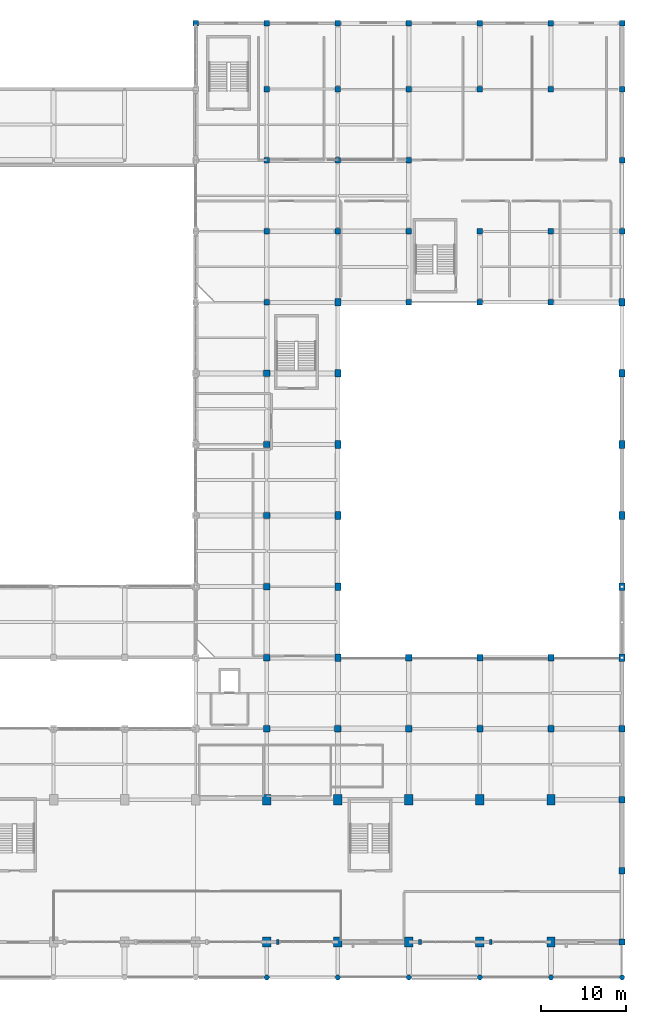
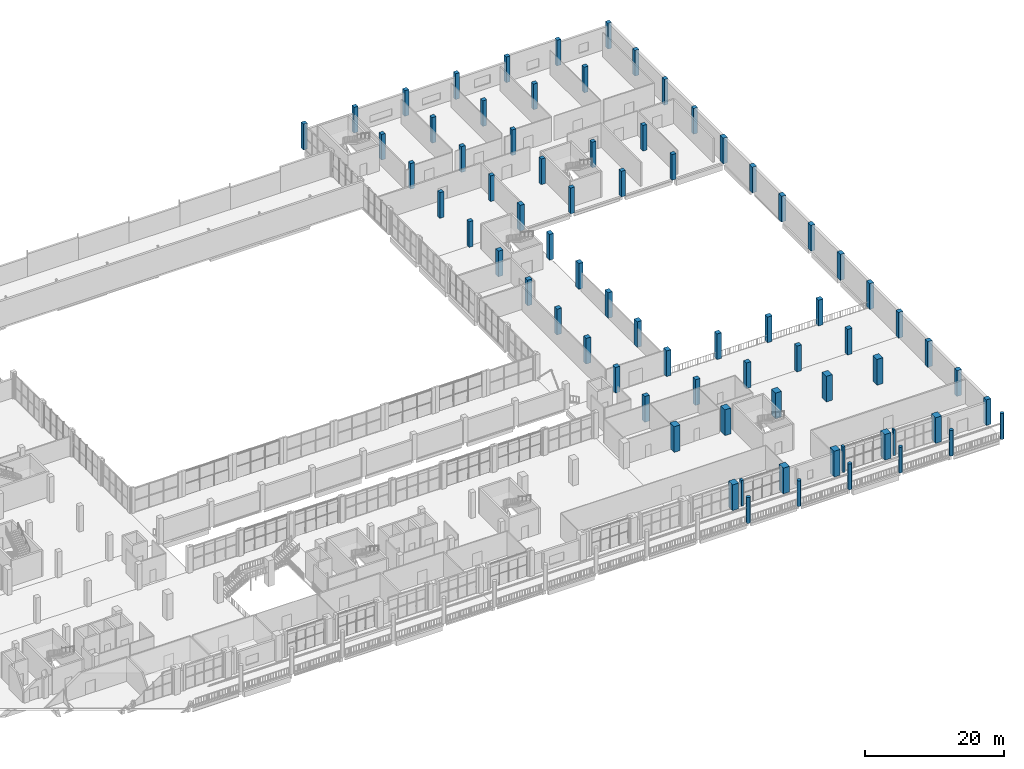
# One storey, part 14 of 75: 75 columns.
"""IFC4 building model written with IfcOpenShell, lengths in metres."""

import ifcopenshell
import ifcopenshell.guid

model = None  # the IFC model being written
_history = None  # IfcOwnerHistory: only IFC2X3 demands one
_inside = {}  # id of a spatial element -> (the spatial element, [elements in it])
_under = {}  # id of a project, library or spatial element -> (it, [spatial elements below it])
_declared = {}  # id of a project -> (the project, [libraries it declares])
_typed = {}  # id of a type object -> (the type object, [elements of that type])
_made_of = {}  # id of a material, layer set ... -> (it, [elements and type objects made of it])


def new_model(schema):
    """Start an empty IFC model of exactly this schema.

    Asked for "IFC4X3", IfcOpenShell would pick the latest addendum, in which some entities
    have other attributes; the version numbers below select the first issue.
    IFC2X3 requires an IfcOwnerHistory on every rooted entity: one is made here for all.
    """
    global model, _history
    if schema == "IFC4X3":
        model = ifcopenshell.file(schema_version=(4, 3, 0, 0))
    else:
        model = ifcopenshell.file(schema=schema)
    _inside.clear()
    _under.clear()
    _declared.clear()
    _typed.clear()
    _made_of.clear()
    _history = None
    if model.schema == "IFC2X3":
        org = make("IfcOrganization", Name="unknown")
        user = make(
            "IfcPersonAndOrganization",
            ThePerson=make("IfcPerson", FamilyName="unknown"),
            TheOrganization=org,
        )
        app = make(
            "IfcApplication",
            ApplicationDeveloper=org,
            Version="unknown",
            ApplicationFullName="unknown",
            ApplicationIdentifier="unknown",
        )
        _history = make(
            "IfcOwnerHistory",
            OwningUser=user,
            OwningApplication=app,
            ChangeAction="ADDED",
            CreationDate=0,
        )
    return model


def make(cls, **values):
    """One entity of the class cls with the attributes given. An attribute that is None is left unset."""
    return model.create_entity(
        cls, **{name: value for name, value in values.items() if value is not None}
    )


def rooted(cls, **values):
    """An entity with a GlobalId (a new one), such as an element, a storey or a relation."""
    return make(cls, GlobalId=ifcopenshell.guid.new(), OwnerHistory=_history, **values)


def si_unit(unit_type, name, prefix=None):
    """IfcSIUnit, for example si_unit("LENGTHUNIT", "METRE", prefix="MILLI")."""
    return make("IfcSIUnit", UnitType=unit_type, Prefix=prefix, Name=name)


def derived_unit(unit_type, elements):
    """IfcDerivedUnit: a product of units, each with its exponent."""
    return make(
        "IfcDerivedUnit",
        Elements=[
            make("IfcDerivedUnitElement", Unit=unit, Exponent=power)
            for unit, power in elements
        ],
        UnitType=unit_type,
    )


def assignment(units):
    """IfcUnitAssignment: the units of a project."""
    return None if units is None else make("IfcUnitAssignment", Units=units)


def point(xyz):
    """IfcCartesianPoint."""
    return None if xyz is None else make("IfcCartesianPoint", Coordinates=xyz)


def direction(xyz):
    """IfcDirection."""
    return None if xyz is None else make("IfcDirection", DirectionRatios=xyz)


def frame(location, z_axis=None, x_axis=None):
    """IfcAxis2Placement3D, a coordinate frame: its origin and axes. An axis left out is left unset."""
    return make(
        "IfcAxis2Placement3D",
        Location=point(location),
        Axis=direction(z_axis),
        RefDirection=direction(x_axis),
    )


def frame_2d(location, x_axis=None):
    """IfcAxis2Placement2D, a coordinate frame in the plane: its origin and x axis."""
    return make(
        "IfcAxis2Placement2D", Location=point(location), RefDirection=direction(x_axis)
    )


def origin():
    """The frame at (0, 0, 0) with its axes left unset."""
    return frame((0.0, 0.0, 0.0))


def origin_2d():
    """The frame at (0, 0) in the plane with its x axis left unset."""
    return frame_2d((0.0, 0.0))


def place(relative_to, where):
    """IfcLocalPlacement: puts the frame where relative to a parent placement (None: the world)."""
    return make(
        "IfcLocalPlacement", PlacementRelTo=relative_to, RelativePlacement=where
    )


def context(
    kind, dimensions, precision=None, world=None, true_north=None, identifier=None
):
    """IfcGeometricRepresentationContext, for example the 3D "Model" context."""
    return make(
        "IfcGeometricRepresentationContext",
        ContextIdentifier=identifier,
        ContextType=kind,
        CoordinateSpaceDimension=dimensions,
        Precision=precision,
        WorldCoordinateSystem=world,
        TrueNorth=true_north,
    )


def subcontext(parent, identifier, kind, view, scale=None):
    """IfcGeometricRepresentationSubContext, for example "Body" below "Model"."""
    return make(
        "IfcGeometricRepresentationSubContext",
        ContextIdentifier=identifier,
        ContextType=kind,
        ParentContext=parent,
        TargetScale=scale,
        TargetView=view,
    )


def project(units=None, contexts=None):
    """IfcProject with its units and contexts."""
    return rooted(
        "IfcProject",
        Name="project",
        RepresentationContexts=contexts,
        UnitsInContext=assignment(units),
    )


def spatial(cls, under=None, at=None, **own):
    """A site, building, storey or space (cls), placed at a placement, below another one or the project."""
    s = rooted(cls, ObjectPlacement=at, **own)
    if under is not None:
        _under.setdefault(under.id(), (under, []))[1].append(s)
    return s


def profile(cls, at=None, kind="AREA", **sizes):
    """A parametric profile (cls). Its sizes go by their IFC names, for example OverallWidth=200.0."""
    return make(cls, ProfileType=kind, Position=at, **sizes)


def rectangle(**sizes):
    """IfcRectangleProfileDef."""
    return profile("IfcRectangleProfileDef", **sizes)


def circle(**sizes):
    """IfcCircleProfileDef."""
    return profile("IfcCircleProfileDef", **sizes)


def extrude(swept, where, along, depth):
    """IfcExtrudedAreaSolid: the profile swept, set in the frame where, extruded along a direction by depth."""
    return make(
        "IfcExtrudedAreaSolid",
        SweptArea=swept,
        Position=where,
        ExtrudedDirection=direction(along),
        Depth=depth,
    )


def shape(context_of_items, identifier, shape_type, items):
    """IfcShapeRepresentation: the items that make up one representation, for example the "Body"."""
    return make(
        "IfcShapeRepresentation",
        ContextOfItems=context_of_items,
        RepresentationIdentifier=identifier,
        RepresentationType=shape_type,
        Items=items,
    )


def material(Name=None, Category=None):
    """IfcMaterial."""
    return make("IfcMaterial", Name=Name, Category=Category)


def material_profile(
    of_material, cross_section, Name=None, Category=None, Priority=None
):
    """IfcMaterialProfile: a cross section and its material."""
    return make(
        "IfcMaterialProfile",
        Name=Name,
        Material=of_material,
        Profile=cross_section,
        Priority=Priority,
        Category=Category,
    )


def profile_set(profiles, Name=None, composite=None):
    """IfcMaterialProfileSet."""
    return make(
        "IfcMaterialProfileSet",
        Name=Name,
        MaterialProfiles=profiles,
        CompositeProfile=composite,
    )


def made_of(thing, what):
    """Note that an element or type object is made of a material, layer set ...; save() writes the relation."""
    if what is not None:
        _made_of.setdefault(what.id(), (what, []))[1].append(thing)
    return thing


def type_object(cls, material=None, **own):
    """A type object (cls), such as IfcWallType, which elements share."""
    return made_of(rooted(cls, **own), material)


def element(
    cls,
    number,
    at=None,
    inside=None,
    cuts=None,
    type_object=None,
    material=None,
    context=None,
    identifier="Body",
    shape_type=None,
    held_by="IfcProductDefinitionShape",
    body=None,
    shapes=None,
    **own,
):
    """One element of the class cls, such as IfcWall. Its Tag is "e" and its number.

    at: its placement. inside: the storey or other place that contains it. cuts: it is an
    opening in that element (IfcRelVoidsElement). A single representation is given by context,
    identifier, shape_type and body (its items); several are given by shapes. held_by: the class
    of the entity that holds the representations. save() writes the other relations.
    """
    e = rooted(cls, Tag="e%d" % number, ObjectPlacement=at, **own)
    if body is not None:
        shapes = [shape(context, identifier, shape_type, body)]
    if shapes is not None:
        e.Representation = make(held_by, Representations=shapes)
    if inside is not None:
        _inside.setdefault(inside.id(), (inside, []))[1].append(e)
    if cuts is not None:
        rooted(
            "IfcRelVoidsElement", RelatingBuildingElement=cuts, RelatedOpeningElement=e
        )
    if type_object is not None:
        _typed.setdefault(type_object.id(), (type_object, []))[1].append(e)
    return made_of(e, material)


def aggregate(whole, parts):
    """IfcRelAggregates: a whole, such as a stair, and the parts it consists of."""
    return rooted("IfcRelAggregates", RelatingObject=whole, RelatedObjects=parts)


def save(model, path):
    """Write the relations noted so far, then the file.

    IfcRelAggregates (storeys below a building ...), IfcRelContainedInSpatialStructure (elements
    in a storey), IfcRelDefinesByType, IfcRelAssociatesMaterial and IfcRelDeclares: one each for
    every whole, place, type object, material and project.
    """
    for whole, parts in _under.values():
        aggregate(whole, parts)
    for where, things in _inside.values():
        rooted(
            "IfcRelContainedInSpatialStructure",
            RelatedElements=things,
            RelatingStructure=where,
        )
    for kind, things in _typed.values():
        rooted("IfcRelDefinesByType", RelatedObjects=things, RelatingType=kind)
    for what, things in _made_of.values():
        rooted("IfcRelAssociatesMaterial", RelatedObjects=things, RelatingMaterial=what)
    for by, libraries in _declared.values():
        rooted("IfcRelDeclares", RelatingContext=by, RelatedDefinitions=libraries)
    model.write(path)


model = new_model("IFC4")

# Units and contexts
model_context = context("Model", 3, precision=1e-05, world=origin(), true_north=direction((0.0, 1.0)))
body_context = subcontext(model_context, "Body", "Model", "MODEL_VIEW")
ifc_project = project(units=[si_unit("LENGTHUNIT", "METRE"), si_unit("AREAUNIT", "SQUARE_METRE"), si_unit("VOLUMEUNIT", "CUBIC_METRE"), si_unit("PLANEANGLEUNIT", "RADIAN"), si_unit("MASSUNIT", "GRAM", prefix="KILO"), derived_unit("THERMALTRANSMITTANCEUNIT", [(si_unit("POWERUNIT", "WATT"), 1), (si_unit("LENGTHUNIT", "METRE"), -2), (si_unit("THERMODYNAMICTEMPERATUREUNIT", "KELVIN"), -1)])], contexts=[model_context])

# Site, building, storey
site_placement = place(None, origin())
site = spatial("IfcSite", under=ifc_project, at=site_placement, CompositionType="ELEMENT")
building_placement = place(site_placement, origin())
building = spatial("IfcBuilding", under=site, at=building_placement, Name="Barrovel Congress Hotel", CompositionType="ELEMENT")
storey_placement = place(building_placement, frame((0.0, 0.0, 5.39990234375)))
storey = spatial("IfcBuildingStorey", under=building, at=storey_placement, Name="L01", CompositionType="ELEMENT", Elevation=5.39990234375)

# Columns
ifc_material_1 = material(Name="Concrete C40", Category="concrete")
ifc_material_profile_1 = material_profile(ifc_material_1, circle(Radius=0.300048828125, at=origin_2d()), Name="RC-D600")
ifc_profile_set_1 = profile_set([ifc_material_profile_1], Name="Concrete C40")
column_type_1 = type_object("IfcColumnType", Name="COL-RC-D600", PredefinedType="COLUMN", material=ifc_profile_set_1)
for number, where, z_axis, x_axis, name in (
    (1, (134.39990234375, 0.0, 0.0), (0.0, 0.0, 1.0), (1.0, 0.0, 0.0), "COL:L01:134.4:0.0"),
    (2, (142.800048828125, 0.0, 0.0), (0.0, 0.0, 1.0), (1.0, 0.0, 0.0), "COL:L01:142.8:0.0"),
    (3, (151.199951171875, 0.0, 0.0), (0.0, 0.0, 1.0), (1.0, 0.0, 0.0), "COL:L01:151.2:0.0"),
    (4, (159.60009765625, 0.0, 0.0), (0.0, 0.0, 1.0), (1.0, 0.0, 0.0), "COL:L01:159.6:0.0"),
    (5, (168.0, 0.0, 0.0), (0.0, 0.0, 1.0), (1.0, 0.0, 0.0), "COL:L01:168.0:0.0"),
    (6, (176.39990234375, 0.0, 0.0), (0.0, 0.0, 1.0), (1.0, 0.0, 0.0), "COL:L01:176.4:0.0"),
):
    element("IfcColumn", number, at=place(storey_placement, frame(where, z_axis=z_axis, x_axis=x_axis)), inside=storey, type_object=column_type_1, Name=name, PredefinedType="COLUMN", context=body_context, shape_type="SweptSolid", body=[
        extrude(circle(Radius=0.300048828125, at=origin_2d()), origin(), (0.0, 0.0, 1.0), 4.5),
    ])
ifc_material_2 = material(Name="Concrete C50", Category="concrete")
ifc_material_profile_2 = material_profile(ifc_material_2, rectangle(XDim=1.0, YDim=1.199951171875, at=origin_2d()), Name="RC1000x1200")
ifc_profile_set_2 = profile_set([ifc_material_profile_2], Name="Concrete C50")
column_type_2 = type_object("IfcColumnType", Name="COL-RC1000x1200", PredefinedType="COLUMN", material=ifc_profile_set_2)
for number, where, z_axis, x_axis, name in (
    (7, (134.39990234375, 4.199951171875, 0.0), (0.0, 0.0, 1.0), (1.0, 0.0, 0.0), "COL:L01:134.4:4.2"),
    (8, (134.39990234375, 21.0, 0.0), (0.0, 0.0, 1.0), (1.0, 0.0, 0.0), "COL:L01:134.4:21.0"),
    (9, (142.800048828125, 4.199951171875, 0.0), (0.0, 0.0, 1.0), (1.0, 0.0, 0.0), "COL:L01:142.8:4.2"),
    (10, (142.800048828125, 21.0, 0.0), (0.0, 0.0, 1.0), (1.0, 0.0, 0.0), "COL:L01:142.8:21.0"),
    (11, (151.199951171875, 4.199951171875, 0.0), (0.0, 0.0, 1.0), (1.0, 0.0, 0.0), "COL:L01:151.2:4.2"),
    (12, (151.199951171875, 21.0, 0.0), (0.0, 0.0, 1.0), (1.0, 0.0, 0.0), "COL:L01:151.2:21.0"),
    (13, (159.60009765625, 4.199951171875, 0.0), (0.0, 0.0, 1.0), (1.0, 0.0, 0.0), "COL:L01:159.6:4.2"),
    (14, (159.60009765625, 21.0, 0.0), (0.0, 0.0, 1.0), (1.0, 0.0, 0.0), "COL:L01:159.6:21.0"),
    (15, (168.0, 4.199951171875, 0.0), (0.0, 0.0, 1.0), (1.0, 0.0, 0.0), "COL:L01:168.0:4.2"),
    (16, (168.0, 21.0, 0.0), (0.0, 0.0, 1.0), (1.0, 0.0, 0.0), "COL:L01:168.0:21.0"),
):
    element("IfcColumn", number, at=place(storey_placement, frame(where, z_axis=z_axis, x_axis=x_axis)), inside=storey, type_object=column_type_2, Name=name, PredefinedType="COLUMN", context=body_context, shape_type="SweptSolid", body=[
        extrude(rectangle(XDim=1.0, YDim=1.199951171875, at=origin_2d()), origin(), (0.0, 0.0, 1.0), 4.5),
    ])
ifc_material_profile_3 = material_profile(ifc_material_1, rectangle(XDim=0.64990234375, YDim=0.64990234375, at=origin_2d()), Name="RC650x650")
ifc_profile_set_3 = profile_set([ifc_material_profile_3], Name="Concrete C40")
column_type_3 = type_object("IfcColumnType", Name="COL-RC650x650", PredefinedType="COLUMN", material=ifc_profile_set_3)
for number, where, z_axis, x_axis, name in (
    (17, (126.0, 112.800048828125, 0.0), (0.0, 0.0, 1.0), (1.0, 0.0, 0.0), "COL:L01:126.0:112.8"),
    (18, (134.39990234375, 79.800048828125, 0.0), (0.0, 0.0, 1.0), (1.0, 0.0, 0.0), "COL:L01:134.4:79.8"),
    (19, (134.39990234375, 88.199951171875, 0.0), (0.0, 0.0, 1.0), (1.0, 0.0, 0.0), "COL:L01:134.4:88.2"),
    (20, (134.39990234375, 96.60009765625, 0.0), (0.0, 0.0, 1.0), (1.0, 0.0, 0.0), "COL:L01:134.4:96.6"),
    (21, (134.39990234375, 105.0, 0.0), (0.0, 0.0, 1.0), (1.0, 0.0, 0.0), "COL:L01:134.4:105.0"),
    (22, (134.39990234375, 112.800048828125, 0.0), (0.0, 0.0, 1.0), (1.0, 0.0, 0.0), "COL:L01:134.4:112.8"),
    (23, (142.800048828125, 88.199951171875, 0.0), (0.0, 0.0, 1.0), (1.0, 0.0, 0.0), "COL:L01:142.8:88.2"),
    (24, (142.800048828125, 96.60009765625, 0.0), (0.0, 0.0, 1.0), (1.0, 0.0, 0.0), "COL:L01:142.8:96.6"),
    (25, (142.800048828125, 105.0, 0.0), (0.0, 0.0, 1.0), (1.0, 0.0, 0.0), "COL:L01:142.8:105.0"),
    (26, (142.800048828125, 112.800048828125, 0.0), (0.0, 0.0, 1.0), (1.0, 0.0, 0.0), "COL:L01:142.8:112.8"),
    (27, (151.199951171875, 79.800048828125, 0.0), (0.0, 0.0, 1.0), (1.0, 0.0, 0.0), "COL:L01:151.2:79.8"),
    (28, (151.199951171875, 88.199951171875, 0.0), (0.0, 0.0, 1.0), (1.0, 0.0, 0.0), "COL:L01:151.2:88.2"),
    (29, (151.199951171875, 96.60009765625, 0.0), (0.0, 0.0, 1.0), (1.0, 0.0, 0.0), "COL:L01:151.2:96.6"),
    (30, (151.199951171875, 105.0, 0.0), (0.0, 0.0, 1.0), (1.0, 0.0, 0.0), "COL:L01:151.2:105.0"),
    (31, (151.199951171875, 112.800048828125, 0.0), (0.0, 0.0, 1.0), (1.0, 0.0, 0.0), "COL:L01:151.2:112.8"),
    (32, (159.60009765625, 79.800048828125, 0.0), (0.0, 0.0, 1.0), (1.0, 0.0, 0.0), "COL:L01:159.6:79.8"),
    (33, (159.60009765625, 88.199951171875, 0.0), (0.0, 0.0, 1.0), (1.0, 0.0, 0.0), "COL:L01:159.6:88.2"),
    (34, (159.60009765625, 105.0, 0.0), (0.0, 0.0, 1.0), (1.0, 0.0, 0.0), "COL:L01:159.6:105.0"),
    (35, (159.60009765625, 112.800048828125, 0.0), (0.0, 0.0, 1.0), (1.0, 0.0, 0.0), "COL:L01:159.6:112.8"),
    (36, (168.0, 79.800048828125, 0.0), (0.0, 0.0, 1.0), (1.0, 0.0, 0.0), "COL:L01:168.0:79.8"),
    (37, (168.0, 88.199951171875, 0.0), (0.0, 0.0, 1.0), (1.0, 0.0, 0.0), "COL:L01:168.0:88.2"),
    (38, (168.0, 105.0, 0.0), (0.0, 0.0, 1.0), (1.0, 0.0, 0.0), "COL:L01:168.0:105.0"),
    (39, (168.0, 112.800048828125, 0.0), (0.0, 0.0, 1.0), (1.0, 0.0, 0.0), "COL:L01:168.0:112.8"),
    (40, (176.39990234375, 88.199951171875, 0.0), (0.0, 0.0, 1.0), (1.0, 0.0, 0.0), "COL:L01:176.4:88.2"),
    (41, (176.39990234375, 96.60009765625, 0.0), (0.0, 0.0, 1.0), (1.0, 0.0, 0.0), "COL:L01:176.4:96.6"),
    (42, (176.39990234375, 105.0, 0.0), (0.0, 0.0, 1.0), (1.0, 0.0, 0.0), "COL:L01:176.4:105.0"),
    (43, (176.39990234375, 112.800048828125, 0.0), (0.0, 0.0, 1.0), (1.0, 0.0, 0.0), "COL:L01:176.4:112.8"),
):
    element("IfcColumn", number, at=place(storey_placement, frame(where, z_axis=z_axis, x_axis=x_axis)), inside=storey, type_object=column_type_3, Name=name, PredefinedType="COLUMN", context=body_context, shape_type="SweptSolid", body=[
        extrude(rectangle(XDim=0.64990234375, YDim=0.64990234375, at=origin_2d()), origin(), (0.0, 0.0, 1.0), 4.5),
    ])
ifc_material_profile_4 = material_profile(ifc_material_1, rectangle(XDim=0.699951171875, YDim=0.89990234375, at=origin_2d()), Name="RC700x900")
ifc_profile_set_4 = profile_set([ifc_material_profile_4], Name="Concrete C40")
column_type_4 = type_object("IfcColumnType", Name="COL-RC700x900", PredefinedType="COLUMN", material=ifc_profile_set_4)
for number, where, z_axis, x_axis, name in (
    (44, (142.800048828125, 37.800048828125, 0.0), (0.0, 0.0, 1.0), (1.0, 0.0, 0.0), "COL:L01:142.8:37.8"),
    (45, (142.800048828125, 46.199951171875, 0.0), (0.0, 0.0, 1.0), (1.0, 0.0, 0.0), "COL:L01:142.8:46.2"),
    (46, (142.800048828125, 54.60009765625, 0.0), (0.0, 0.0, 1.0), (1.0, 0.0, 0.0), "COL:L01:142.8:54.6"),
    (47, (142.800048828125, 63.0, 0.0), (0.0, 0.0, 1.0), (1.0, 0.0, 0.0), "COL:L01:142.8:63.0"),
    (48, (142.800048828125, 71.39990234375, 0.0), (0.0, 0.0, 1.0), (1.0, 0.0, 0.0), "COL:L01:142.8:71.4"),
    (49, (142.800048828125, 79.800048828125, 0.0), (0.0, 0.0, 1.0), (1.0, 0.0, 0.0), "COL:L01:142.8:79.8"),
    (50, (176.39990234375, 37.800048828125, 0.0), (0.0, 0.0, 1.0), (1.0, 0.0, 0.0), "COL:L01:176.4:37.8"),
    (51, (176.39990234375, 46.199951171875, 0.0), (0.0, 0.0, 1.0), (1.0, 0.0, 0.0), "COL:L01:176.4:46.2"),
    (52, (176.39990234375, 54.60009765625, 0.0), (0.0, 0.0, 1.0), (1.0, 0.0, 0.0), "COL:L01:176.4:54.6"),
    (53, (176.39990234375, 63.0, 0.0), (0.0, 0.0, 1.0), (1.0, 0.0, 0.0), "COL:L01:176.4:63.0"),
    (54, (176.39990234375, 71.39990234375, 0.0), (0.0, 0.0, 1.0), (1.0, 0.0, 0.0), "COL:L01:176.4:71.4"),
    (55, (176.39990234375, 79.800048828125, 0.0), (0.0, 0.0, 1.0), (1.0, 0.0, 0.0), "COL:L01:176.4:79.8"),
):
    element("IfcColumn", number, at=place(storey_placement, frame(where, z_axis=z_axis, x_axis=x_axis)), inside=storey, type_object=column_type_4, Name=name, PredefinedType="COLUMN", context=body_context, shape_type="SweptSolid", body=[
        extrude(rectangle(XDim=0.699951171875, YDim=0.89990234375, at=origin_2d()), origin(), (0.0, 0.0, 1.0), 4.5),
    ])
ifc_material_profile_5 = material_profile(ifc_material_1, rectangle(XDim=0.75, YDim=0.75, at=origin_2d()), Name="RC750x750")
ifc_profile_set_5 = profile_set([ifc_material_profile_5], Name="Concrete C40")
column_type_5 = type_object("IfcColumnType", Name="COL-RC750x750", PredefinedType="COLUMN", material=ifc_profile_set_5)
for number, where, z_axis, x_axis, name in (
    (56, (134.39990234375, 29.39990234375, 0.0), (0.0, 0.0, 1.0), (1.0, 0.0, 0.0), "COL:L01:134.4:29.4"),
    (57, (134.39990234375, 37.800048828125, 0.0), (0.0, 0.0, 1.0), (1.0, 0.0, 0.0), "COL:L01:134.4:37.8"),
    (58, (134.39990234375, 46.199951171875, 0.0), (0.0, 0.0, 1.0), (1.0, 0.0, 0.0), "COL:L01:134.4:46.2"),
    (59, (134.39990234375, 54.60009765625, 0.0), (0.0, 0.0, 1.0), (1.0, 0.0, 0.0), "COL:L01:134.4:54.6"),
    (60, (134.39990234375, 63.0, 0.0), (0.0, 0.0, 1.0), (1.0, 0.0, 0.0), "COL:L01:134.4:63.0"),
    (61, (134.39990234375, 71.39990234375, 0.0), (0.0, 0.0, 1.0), (1.0, 0.0, 0.0), "COL:L01:134.4:71.4"),
    (62, (142.800048828125, 29.39990234375, 0.0), (0.0, 0.0, 1.0), (1.0, 0.0, 0.0), "COL:L01:142.8:29.4"),
    (63, (151.199951171875, 29.39990234375, 0.0), (0.0, 0.0, 1.0), (1.0, 0.0, 0.0), "COL:L01:151.2:29.4"),
    (64, (151.199951171875, 37.800048828125, 0.0), (0.0, 0.0, 1.0), (1.0, 0.0, 0.0), "COL:L01:151.2:37.8"),
    (65, (159.60009765625, 29.39990234375, 0.0), (0.0, 0.0, 1.0), (1.0, 0.0, 0.0), "COL:L01:159.6:29.4"),
    (66, (159.60009765625, 37.800048828125, 0.0), (0.0, 0.0, 1.0), (1.0, 0.0, 0.0), "COL:L01:159.6:37.8"),
    (67, (168.0, 29.39990234375, 0.0), (0.0, 0.0, 1.0), (1.0, 0.0, 0.0), "COL:L01:168.0:29.4"),
    (68, (168.0, 37.800048828125, 0.0), (0.0, 0.0, 1.0), (1.0, 0.0, 0.0), "COL:L01:168.0:37.8"),
    (69, (176.39990234375, 4.199951171875, 0.0), (0.0, 0.0, 1.0), (1.0, 0.0, 0.0), "COL:L01:176.4:4.2"),
    (70, (176.39990234375, 12.60009765625, 0.0), (0.0, 0.0, 1.0), (1.0, 0.0, 0.0), "COL:L01:176.4:12.6"),
    (71, (176.39990234375, 21.0, 0.0), (0.0, 0.0, 1.0), (1.0, 0.0, 0.0), "COL:L01:176.4:21.0"),
    (72, (176.39990234375, 29.39990234375, 0.0), (0.0, 0.0, 1.0), (1.0, 0.0, 0.0), "COL:L01:176.4:29.4"),
):
    element("IfcColumn", number, at=place(storey_placement, frame(where, z_axis=z_axis, x_axis=x_axis)), inside=storey, type_object=column_type_5, Name=name, PredefinedType="COLUMN", context=body_context, shape_type="SweptSolid", body=[
        extrude(rectangle(XDim=0.75, YDim=0.75, at=origin_2d()), origin(), (0.0, 0.0, 1.0), 4.5),
    ])
ifc_material_profile_6 = material_profile(ifc_material_1, rectangle(XDim=0.300048828125, YDim=0.550048828125, at=origin_2d()), Name="RC300x550")
ifc_profile_set_6 = profile_set([ifc_material_profile_6], Name="Concrete C40")
column_type_6 = type_object("IfcColumnType", Name="PIL-RC300x550", PredefinedType="PILASTER", material=ifc_profile_set_6)
column_placement = place(storey_placement, frame((160.89990234375, 4.199951171875, 0.0), z_axis=(0.0, 0.0, 1.0), x_axis=(1.0, 0.0, 0.0)))
element("IfcColumn", 73, at=column_placement, inside=storey, type_object=column_type_6, Name="PIL:L01:S:160.9", PredefinedType="PILASTER", context=body_context, shape_type="SweptSolid", body=[
    extrude(rectangle(XDim=0.300048828125, YDim=0.550048828125, at=origin_2d()), origin(), (0.0, 0.0, 1.0), 4.5),
])
ifc_material_profile_7 = material_profile(ifc_material_1, rectangle(XDim=0.35009765625, YDim=0.60009765625, at=origin_2d()), Name="RC350x600")
ifc_profile_set_7 = profile_set([ifc_material_profile_7], Name="Concrete C40")
column_type_7 = type_object("IfcColumnType", Name="PIL-RC350x600", PredefinedType="PILASTER", material=ifc_profile_set_7)
for number, where, z_axis, x_axis, name in (
    (74, (135.699951171875, 4.199951171875, 0.0), (0.0, 0.0, 1.0), (1.0, 0.0, 0.0), "PIL:L01:S:135.7"),
    (75, (152.5, 4.199951171875, 0.0), (0.0, 0.0, 1.0), (1.0, 0.0, 0.0), "PIL:L01:S:152.5"),
):
    element("IfcColumn", number, at=place(storey_placement, frame(where, z_axis=z_axis, x_axis=x_axis)), inside=storey, type_object=column_type_7, Name=name, PredefinedType="PILASTER", context=body_context, shape_type="SweptSolid", body=[
        extrude(rectangle(XDim=0.35009765625, YDim=0.60009765625, at=origin_2d()), origin(), (0.0, 0.0, 1.0), 4.5),
    ])

save(model, "model.ifc")
